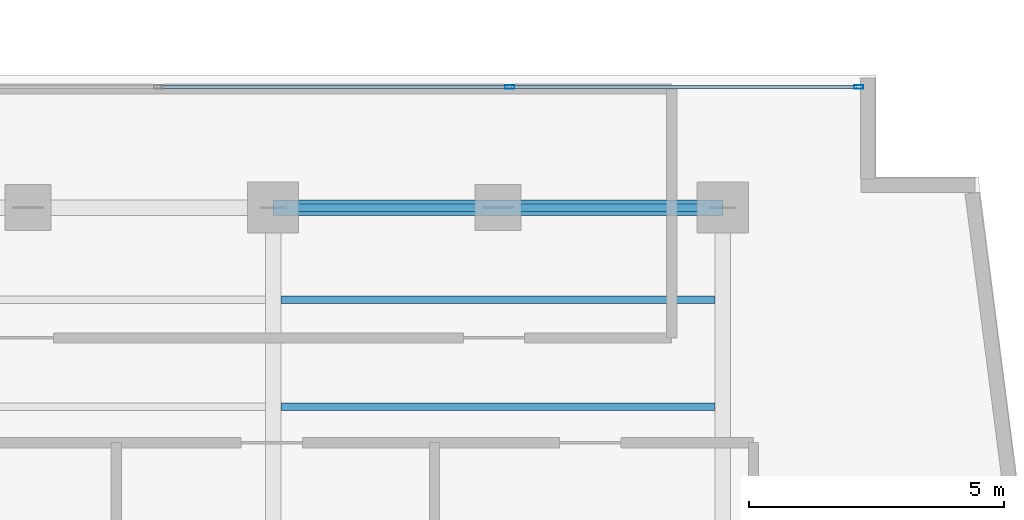
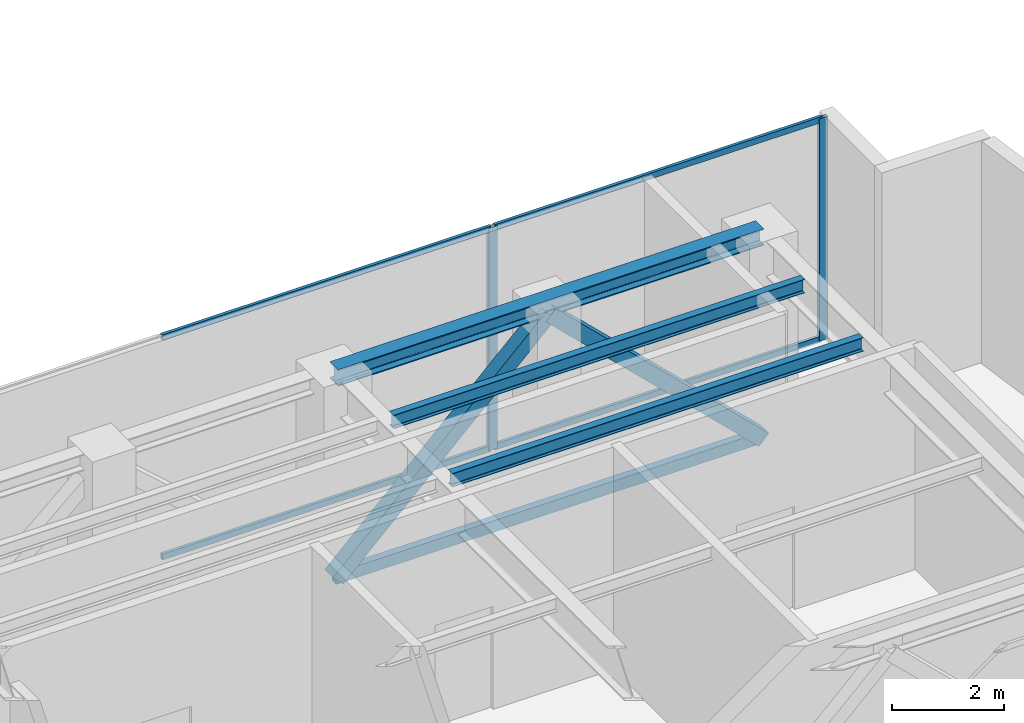
# One storey, part 18 of 31: 9 members, 3 beams, 1 element without a shape of its own.
"""IFC4 building model written with IfcOpenShell, lengths in metres."""

from ifc_helpers import new_model, si_unit, direction, frame, origin, origin_with_axes, origin_2d, place, context, subcontext, project, spatial, hollow_rectangle, i_section, extrude, source, transform, mapped, material, layer, layer_set, material_profile, profile_set, type_object, element, aggregate, save


model = new_model("IFC4")

# Units and contexts
model_context = context("Model", 3, precision=1e-05, world=origin(), true_north=direction((0.0, 1.0)))
body_context = subcontext(model_context, "Body", "Model", "MODEL_VIEW")
ifc_project = project(units=[si_unit("LENGTHUNIT", "METRE"), si_unit("AREAUNIT", "SQUARE_METRE"), si_unit("VOLUMEUNIT", "CUBIC_METRE"), si_unit("PLANEANGLEUNIT", "RADIAN"), si_unit("MASSUNIT", "GRAM", prefix="KILO")], contexts=[model_context])

# Site, building, storey
site_placement = place(None, origin())
site = spatial("IfcSite", under=ifc_project, at=site_placement, CompositionType="ELEMENT")
building_placement = place(site_placement, origin())
building = spatial("IfcBuilding", under=site, at=building_placement, Name="Kolvaren Waterfront Exchange", CompositionType="ELEMENT")
storey_placement = place(building_placement, frame((0.0, 0.0, 257.699951171875)))
storey = spatial("IfcBuildingStorey", under=building, at=storey_placement, Name="L66", CompositionType="ELEMENT", Elevation=257.699951171875)

# Beams
ifc_material_1 = material(Name="Steel S355", Category="steel")
ifc_material_profile_1 = material_profile(ifc_material_1, i_section(OverallWidth=0.300048828125, OverallDepth=0.360107421875, WebThickness=0.012451171875, FlangeThickness=0.0224609375, FilletRadius=0.027099609375, at=origin_2d()), Name="HEB360")
ifc_profile_set_1 = profile_set([ifc_material_profile_1], Name="Steel S355")
beam_type_1 = type_object("IfcBeamType", Name="STR-BM-HEB360", PredefinedType="SPANDREL", material=ifc_profile_set_1)
beam_placement = place(storey_placement, frame((36.800048828125, 17.39990234375, 4.679931640625), z_axis=(1.0, 0.0, 0.0), x_axis=(0.0, 1.0, 0.0)))
element("IfcBeam", 1, at=beam_placement, inside=storey, type_object=beam_type_1, Name="L66 east-arm spandrel N3", PredefinedType="SPANDREL", context=body_context, shape_type="SweptSolid", body=[
    extrude(i_section(OverallWidth=0.300048828125, OverallDepth=0.360107421875, WebThickness=0.012451171875, FlangeThickness=0.0224609375, FilletRadius=0.027099609375, at=origin_2d()), origin(), (0.0, 0.0, 1.0), 8.800048828125),
])
ifc_material_profile_2 = material_profile(ifc_material_1, i_section(OverallWidth=0.14990234375, OverallDepth=0.300048828125, WebThickness=0.007080078125, FlangeThickness=0.0107421875, FilletRadius=0.014892578125, at=origin_2d()), Name="IPE300")
ifc_profile_set_2 = profile_set([ifc_material_profile_2], Name="Steel S355")
beam_type_2 = type_object("IfcBeamType", Name="STR-BM-IPE300", PredefinedType="JOIST", material=ifc_profile_set_2)
for number, where, z_axis, x_axis, name in (
    (2, (36.951904296875, 13.5, 4.7099609375), (1.0, 0.0, 0.0), (0.0, 1.0, 0.0), "L66 east-arm composite joist 3A"),
    (3, (36.951904296875, 15.60009765625, 4.7099609375), (1.0, 0.0, 0.0), (0.0, 1.0, 0.0), "L66 east-arm composite joist 3C"),
):
    element("IfcBeam", number, at=place(storey_placement, frame(where, z_axis=z_axis, x_axis=x_axis)), inside=storey, type_object=beam_type_2, Name=name, PredefinedType="JOIST", context=body_context, shape_type="SweptSolid", body=[
        extrude(i_section(OverallWidth=0.14990234375, OverallDepth=0.300048828125, WebThickness=0.007080078125, FlangeThickness=0.0107421875, FilletRadius=0.014892578125, at=origin_2d()), origin(), (0.0, 0.0, 1.0), 8.49609375),
    ])

# Members
ifc_material_2 = material(Name="Steel S460", Category="steel")
ifc_material_profile_3 = material_profile(ifc_material_2, hollow_rectangle(XDim=0.14990234375, YDim=0.25, WallThickness=0.010009765625, at=origin_2d()), Name="RHS250x150x10")
ifc_profile_set_3 = profile_set([ifc_material_profile_3], Name="Steel S460")
member_type_1 = type_object("IfcMemberType", Name="STR-BR-RHS250", PredefinedType="CHORD", material=ifc_profile_set_3)
member_1_placement = place(storey_placement, frame((36.800048828125, 17.39990234375, 0.25), z_axis=(1.0, 0.0, 0.0), x_axis=(0.0, 1.0, 0.0)))
element("IfcMember", 4, at=member_1_placement, inside=storey, type_object=member_type_1, Name="L66 belt-truss bottom chord BT2", PredefinedType="CHORD", context=body_context, shape_type="SweptSolid", body=[
    extrude(hollow_rectangle(XDim=0.14990234375, YDim=0.25, WallThickness=0.010009765625, at=origin_2d()), origin(), (0.0, 0.0, 1.0), 8.800048828125),
])
ifc_material_profile_4 = material_profile(ifc_material_1, hollow_rectangle(XDim=0.300048828125, YDim=0.300048828125, WallThickness=0.01611328125, at=origin_2d()), Name="SHS300x300x16")
ifc_profile_set_4 = profile_set([ifc_material_profile_4], Name="Steel S355")
member_type_2 = type_object("IfcMemberType", Name="STR-BR-SHS300", PredefinedType="BRACE", material=ifc_profile_set_4)
member_2_placement = place(storey_placement, frame((36.800048828125, 17.39990234375, 0.25), z_axis=(0.718435680477, 0.0, 0.695593396329), x_axis=(0.0, 1.0, 0.0)))
element("IfcMember", 5, at=member_2_placement, inside=storey, type_object=member_type_2, Name="L66 belt-truss chevron brace BT2L", PredefinedType="BRACE", context=body_context, shape_type="SweptSolid", body=[
    extrude(hollow_rectangle(XDim=0.300048828125, YDim=0.300048828125, WallThickness=0.01611328125, at=origin_2d()), origin(), (0.0, 0.0, 1.0), 6.124267578125),
])
member_3_placement = place(storey_placement, frame((45.60009765625, 17.39990234375, 0.25), z_axis=(-0.718454968031, 0.0, 0.695573474847), x_axis=(0.0, -1.0, 0.0)))
element("IfcMember", 6, at=member_3_placement, inside=storey, type_object=member_type_2, Name="L66 belt-truss chevron brace BT2R", PredefinedType="BRACE", context=body_context, shape_type="SweptSolid", body=[
    extrude(hollow_rectangle(XDim=0.300048828125, YDim=0.300048828125, WallThickness=0.01611328125, at=origin_2d()), origin(), (0.0, 0.0, 1.0), 6.12451171875),
])

# Curtain wall, members
ifc_material_3 = material(Name="Anodised dark bronze spandrel aluminium", Category="aluminium")
ifc_layer = layer(ifc_material_3, 0.219970703125, Name="Anodised dark bronze spandrel aluminium")
ifc_layer_set = layer_set([ifc_layer], Name="Anodised dark bronze spandrel aluminium")
curtain_wall_type = type_object("IfcCurtainWallType", Name="ARC-CW-SYS6", PredefinedType="USERDEFINED", material=ifc_layer_set)
curtain_wall_placement = place(storey_placement, origin())
curtain_wall = element("IfcCurtainWall", 7, at=curtain_wall_placement, inside=storey, type_object=curtain_wall_type, Name="L66 stick curtain wall CW6 (CW-L66-EN)", ObjectType="STICK CURTAIN WALL", PredefinedType="USERDEFINED")
ifc_material_4 = material(Name="Anodised bronze aluminium 6063-T6", Category="aluminium")
ifc_material_profile_5 = material_profile(ifc_material_4, hollow_rectangle(XDim=0.074951171875, YDim=0.179931640625, WallThickness=0.00439453125, at=origin_2d()), Name="ALU-MUL-180x75x4.5")
ifc_profile_set_5 = profile_set([ifc_material_profile_5], Name="Anodised bronze aluminium 6063-T6")
member_type_3 = type_object("IfcMemberType", Name="ARC-CWM-180", PredefinedType="MULLION", material=ifc_profile_set_5)
shared_shape_1 = source(origin_with_axes(), body_context, "Body", "SweptSolid", [
    extrude(hollow_rectangle(XDim=0.074951171875, YDim=0.179931640625, WallThickness=0.00439453125, at=origin_2d()), origin(), (0.0, 0.0, 1.0), 4.860107421875),
])
member_4_placement = place(storey_placement, frame((41.429931640625, 19.760009765625, 0.0), z_axis=(0.0, 0.0, 1.0), x_axis=(0.0, 1.0, 0.0)))
member_4 = element("IfcMember", 8, at=member_4_placement, type_object=member_type_3, Name="CW6 mullion 3", PredefinedType="MULLION", context=body_context, shape_type="MappedRepresentation", body=[
    mapped(shared_shape_1, transform((0.0, 0.0, 0.0), x_axis=(1.0, 0.0, 0.0), y_axis=(0.0, 1.0, 0.0), z_axis=(0.0, 0.0, 1.0), scale=1.0)),
])
member_5_placement = place(storey_placement, frame((48.262451171875, 19.760009765625, 0.0), z_axis=(0.0, 0.0, 1.0), x_axis=(0.0, 1.0, 0.0)))
member_5 = element("IfcMember", 9, at=member_5_placement, type_object=member_type_3, Name="CW6 mullion 4", PredefinedType="MULLION", context=body_context, shape_type="MappedRepresentation", body=[
    mapped(shared_shape_1, transform((0.0, 0.0, 0.0), x_axis=(1.0, 0.0, 0.0), y_axis=(0.0, 1.0, 0.0), z_axis=(0.0, 0.0, 1.0), scale=1.0)),
])
ifc_material_profile_6 = material_profile(ifc_material_4, hollow_rectangle(XDim=0.06494140625, YDim=0.1298828125, WallThickness=0.00390625, at=origin_2d()), Name="ALU-TRN-130x65x4")
ifc_profile_set_6 = profile_set([ifc_material_profile_6], Name="Anodised bronze aluminium 6063-T6")
member_type_4 = type_object("IfcMemberType", Name="ARC-CWT-130", PredefinedType="USERDEFINED", material=ifc_profile_set_6)
shared_shape_2 = source(origin_with_axes(), body_context, "Body", "SweptSolid", [
    extrude(hollow_rectangle(XDim=0.06494140625, YDim=0.1298828125, WallThickness=0.00390625, at=origin_2d()), origin(), (0.0, 0.0, 1.0), 6.757568359375),
])
member_6_placement = place(storey_placement, frame((41.467529296875, 19.760009765625, 0.032470703125), z_axis=(1.0, 0.0, 0.0), x_axis=(0.0, 1.0, 0.0)))
member_6 = element("IfcMember", 10, at=member_6_placement, type_object=member_type_4, Name="CW6 transom 3.1", ObjectType="TRANSOM", PredefinedType="USERDEFINED", context=body_context, shape_type="MappedRepresentation", body=[
    mapped(shared_shape_2, transform((0.0, 0.0, 0.0), x_axis=(1.0, 0.0, 0.0), y_axis=(0.0, 1.0, 0.0), z_axis=(0.0, 0.0, 1.0), scale=1.0)),
])
member_7_placement = place(storey_placement, frame((41.467529296875, 19.760009765625, 4.82763671875), z_axis=(1.0, 0.0, 0.0), x_axis=(0.0, 1.0, 0.0)))
member_7 = element("IfcMember", 11, at=member_7_placement, type_object=member_type_4, Name="CW6 transom 3.2", ObjectType="TRANSOM", PredefinedType="USERDEFINED", context=body_context, shape_type="MappedRepresentation", body=[
    mapped(shared_shape_2, transform((0.0, 0.0, 0.0), x_axis=(1.0, 0.0, 0.0), y_axis=(0.0, 1.0, 0.0), z_axis=(0.0, 0.0, 1.0), scale=1.0)),
])
shared_shape_3 = source(origin_with_axes(), body_context, "Body", "SweptSolid", [
    extrude(hollow_rectangle(XDim=0.06494140625, YDim=0.1298828125, WallThickness=0.00390625, at=origin_2d()), origin(), (0.0, 0.0, 1.0), 6.795166015625),
])
member_8_placement = place(storey_placement, frame((34.597412109375, 19.760009765625, 0.032470703125), z_axis=(1.0, 0.0, 0.0), x_axis=(0.0, 1.0, 0.0)))
member_8 = element("IfcMember", 12, at=member_8_placement, type_object=member_type_4, Name="CW6 transom 2.1", ObjectType="TRANSOM", PredefinedType="USERDEFINED", context=body_context, shape_type="MappedRepresentation", body=[
    mapped(shared_shape_3, transform((0.0, 0.0, 0.0), x_axis=(1.0, 0.0, 0.0), y_axis=(0.0, 1.0, 0.0), z_axis=(0.0, 0.0, 1.0), scale=1.0)),
])
member_9_placement = place(storey_placement, frame((34.597412109375, 19.760009765625, 4.82763671875), z_axis=(1.0, 0.0, 0.0), x_axis=(0.0, 1.0, 0.0)))
member_9 = element("IfcMember", 13, at=member_9_placement, type_object=member_type_4, Name="CW6 transom 2.2", ObjectType="TRANSOM", PredefinedType="USERDEFINED", context=body_context, shape_type="MappedRepresentation", body=[
    mapped(shared_shape_3, transform((0.0, 0.0, 0.0), x_axis=(1.0, 0.0, 0.0), y_axis=(0.0, 1.0, 0.0), z_axis=(0.0, 0.0, 1.0), scale=1.0)),
])
aggregate(curtain_wall, [member_4, member_5, member_8, member_9, member_6, member_7])

save(model, "model.ifc")
